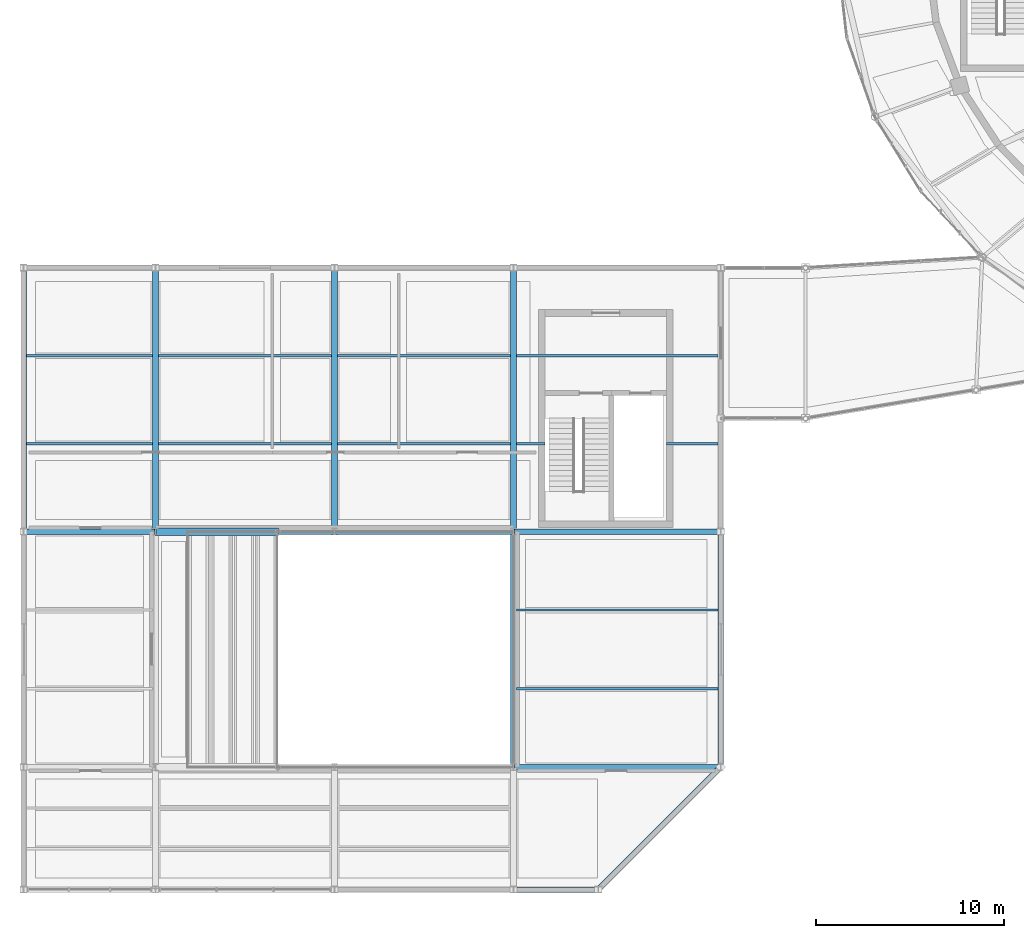
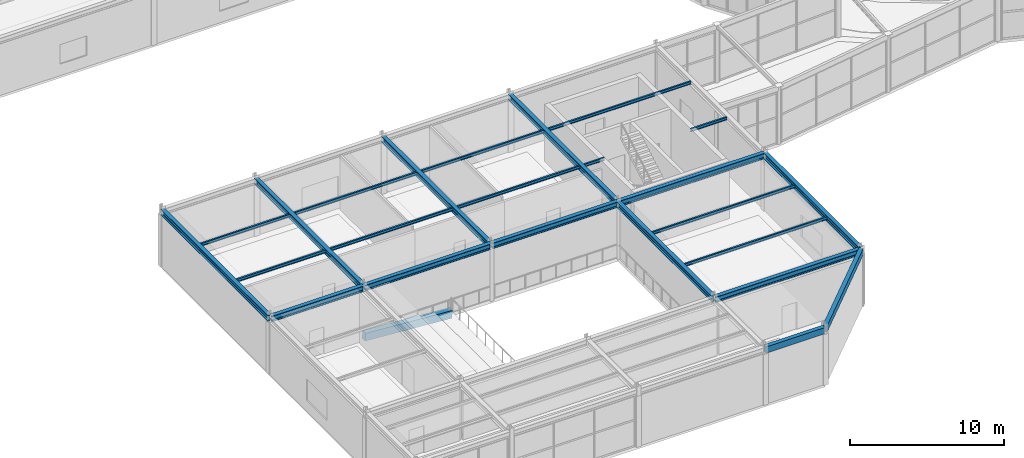
# One storey, part 17 of 100: 25 beams.
"""IFC4 building model written with IfcOpenShell, lengths in metres."""

from ifc_helpers import new_model, si_unit, direction, frame, origin, origin_2d, place, context, subcontext, project, spatial, rectangle, i_section, extrude, material, material_profile, profile_set, type_object, element, save


model = new_model("IFC4")

# Units and contexts
model_context = context("Model", 3, precision=1e-05, world=origin(), true_north=direction((0.0, 1.0)))
body_context = subcontext(model_context, "Body", "Model", "MODEL_VIEW")
ifc_project = project(units=[si_unit("LENGTHUNIT", "METRE"), si_unit("AREAUNIT", "SQUARE_METRE"), si_unit("VOLUMEUNIT", "CUBIC_METRE"), si_unit("PLANEANGLEUNIT", "RADIAN"), si_unit("MASSUNIT", "GRAM", prefix="KILO")], contexts=[model_context])

# Site, building, storey
site_placement = place(None, origin())
site = spatial("IfcSite", under=ifc_project, at=site_placement, CompositionType="ELEMENT")
building_placement = place(site_placement, origin())
building = spatial("IfcBuilding", under=site, at=building_placement, Name="Tarnveldt Headland Concert Hall", CompositionType="ELEMENT")
storey_placement = place(building_placement, frame((0.0, 0.0, 4.800048828125)))
storey = spatial("IfcBuildingStorey", under=building, at=storey_placement, Name="L01", CompositionType="ELEMENT", Elevation=4.800048828125)

# Beams
ifc_material_1 = material(Name="Concrete C40/50", Category="concrete")
ifc_material_profile_1 = material_profile(ifc_material_1, rectangle(XDim=0.39990234375, YDim=0.60009765625, at=origin_2d()), Name="RAKER RC 400x600", Category="concrete")
ifc_profile_set_1 = profile_set([ifc_material_profile_1], Name="Concrete C40/50")
beam_type_1 = type_object("IfcBeamType", Name="RK-400x600", PredefinedType="BEAM", material=ifc_profile_set_1)
beam_1_placement = place(storey_placement, frame((14.5, 24.0, 0.47998046875), z_axis=(0.997505647096, 0.0, -0.070586712708), x_axis=(0.0, 1.0, 0.0)))
element("IfcBeam", 1, at=beam_1_placement, inside=storey, type_object=beam_type_1, Name="Chamber balcony RAKER beam Y24.0", PredefinedType="BEAM", context=body_context, shape_type="SweptSolid", body=[
    extrude(rectangle(XDim=0.39990234375, YDim=0.60009765625, at=origin_2d()), origin(), (0.0, 0.0, 1.0), 6.516357421875),
])
ifc_material_2 = material(Name="Steel S355", Category="steel")
ifc_material_profile_2 = material_profile(ifc_material_2, i_section(OverallWidth=0.300048828125, OverallDepth=0.449951171875, WebThickness=0.013916015625, FlangeThickness=0.02587890625, FilletRadius=0.027099609375, at=origin_2d()), Name="HEB450", Category="steel")
ifc_profile_set_2 = profile_set([ifc_material_profile_2], Name="Steel S355")
beam_type_2 = type_object("IfcBeamType", Name="SB-HEB450", PredefinedType="BEAM", material=ifc_profile_set_2)
beam_2_placement = place(storey_placement, frame((33.550048828125, 11.5, 4.31494140625), z_axis=(1.0, 0.0, 0.0), x_axis=(0.0, 1.0, 0.0)))
element("IfcBeam", 2, at=beam_2_placement, inside=storey, type_object=beam_type_2, Name="Framing beam L01-871", PredefinedType="BEAM", context=body_context, shape_type="SweptSolid", body=[
    extrude(i_section(OverallWidth=0.300048828125, OverallDepth=0.449951171875, WebThickness=0.013916015625, FlangeThickness=0.02587890625, FilletRadius=0.027099609375, at=origin_2d()), origin(), (0.0, 0.0, 1.0), 10.89990234375),
])
beam_3_placement = place(storey_placement, frame((7.550048828125, 24.0, 4.31494140625), z_axis=(1.0, 0.0, 0.0), x_axis=(0.0, 1.0, 0.0)))
element("IfcBeam", 3, at=beam_3_placement, inside=storey, type_object=beam_type_2, Name="Framing beam L01-872", PredefinedType="BEAM", context=body_context, shape_type="SweptSolid", body=[
    extrude(i_section(OverallWidth=0.300048828125, OverallDepth=0.449951171875, WebThickness=0.013916015625, FlangeThickness=0.02587890625, FilletRadius=0.027099609375, at=origin_2d()), origin(), (0.0, 0.0, 1.0), 6.89990234375),
])
for number, where, z_axis, x_axis, name in (
    (4, (14.550048828125, 24.0, 4.31494140625), (1.0, 0.0, 0.0), (0.0, 1.0, 0.0), "Framing beam L01-873"),
    (5, (24.050048828125, 24.0, 4.31494140625), (1.0, 0.0, 0.0), (0.0, 1.0, 0.0), "Framing beam L01-874"),
):
    element("IfcBeam", number, at=place(storey_placement, frame(where, z_axis=z_axis, x_axis=x_axis)), inside=storey, type_object=beam_type_2, Name=name, PredefinedType="BEAM", context=body_context, shape_type="SweptSolid", body=[
        extrude(i_section(OverallWidth=0.300048828125, OverallDepth=0.449951171875, WebThickness=0.013916015625, FlangeThickness=0.02587890625, FilletRadius=0.027099609375, at=origin_2d()), origin(), (0.0, 0.0, 1.0), 9.39990234375),
    ])
beam_4_placement = place(storey_placement, frame((33.550048828125, 24.0, 4.31494140625), z_axis=(1.0, 0.0, 0.0), x_axis=(0.0, 1.0, 0.0)))
element("IfcBeam", 6, at=beam_4_placement, inside=storey, type_object=beam_type_2, Name="Framing beam L01-875", PredefinedType="BEAM", context=body_context, shape_type="SweptSolid", body=[
    extrude(i_section(OverallWidth=0.300048828125, OverallDepth=0.449951171875, WebThickness=0.013916015625, FlangeThickness=0.02587890625, FilletRadius=0.027099609375, at=origin_2d()), origin(), (0.0, 0.0, 1.0), 10.89990234375),
])
for number, where, z_axis, x_axis, name in (
    (7, (7.5, 24.050048828125, 4.31494140625), (0.0, 1.0, 0.0), (-1.0, 0.0, 0.0), "Framing beam L01-886"),
    (8, (14.5, 24.050048828125, 4.31494140625), (0.0, 1.0, 0.0), (-1.0, 0.0, 0.0), "Framing beam L01-893"),
    (9, (24.0, 24.050048828125, 4.31494140625), (0.0, 1.0, 0.0), (-1.0, 0.0, 0.0), "Framing beam L01-899"),
):
    element("IfcBeam", number, at=place(storey_placement, frame(where, z_axis=z_axis, x_axis=x_axis)), inside=storey, type_object=beam_type_2, Name=name, PredefinedType="BEAM", context=body_context, shape_type="SweptSolid", body=[
        extrude(i_section(OverallWidth=0.300048828125, OverallDepth=0.449951171875, WebThickness=0.013916015625, FlangeThickness=0.02587890625, FilletRadius=0.027099609375, at=origin_2d()), origin(), (0.0, 0.0, 1.0), 13.89990234375),
    ])
beam_5_placement = place(storey_placement, frame((33.5, 11.550048828125, 4.31494140625), z_axis=(0.0, 1.0, 0.0), x_axis=(-1.0, 0.0, 0.0)))
element("IfcBeam", 10, at=beam_5_placement, inside=storey, type_object=beam_type_2, Name="Framing beam L01-903", PredefinedType="BEAM", context=body_context, shape_type="SweptSolid", body=[
    extrude(i_section(OverallWidth=0.300048828125, OverallDepth=0.449951171875, WebThickness=0.013916015625, FlangeThickness=0.02587890625, FilletRadius=0.027099609375, at=origin_2d()), origin(), (0.0, 0.0, 1.0), 12.39990234375),
])
beam_6_placement = place(storey_placement, frame((33.5, 24.050048828125, 4.31494140625), z_axis=(0.0, 1.0, 0.0), x_axis=(-1.0, 0.0, 0.0)))
element("IfcBeam", 11, at=beam_6_placement, inside=storey, type_object=beam_type_2, Name="Framing beam L01-906", PredefinedType="BEAM", context=body_context, shape_type="SweptSolid", body=[
    extrude(i_section(OverallWidth=0.300048828125, OverallDepth=0.449951171875, WebThickness=0.013916015625, FlangeThickness=0.02587890625, FilletRadius=0.027099609375, at=origin_2d()), origin(), (0.0, 0.0, 1.0), 13.89990234375),
])
beam_7_placement = place(storey_placement, frame((44.5, 11.550048828125, 4.31494140625), z_axis=(0.0, 1.0, 0.0), x_axis=(-1.0, 0.0, 0.0)))
element("IfcBeam", 12, at=beam_7_placement, inside=storey, type_object=beam_type_2, Name="Framing beam L01-910", PredefinedType="BEAM", context=body_context, shape_type="SweptSolid", body=[
    extrude(i_section(OverallWidth=0.300048828125, OverallDepth=0.449951171875, WebThickness=0.013916015625, FlangeThickness=0.02587890625, FilletRadius=0.027099609375, at=origin_2d()), origin(), (0.0, 0.0, 1.0), 12.39990234375),
])
ifc_material_profile_3 = material_profile(ifc_material_2, i_section(OverallWidth=0.1201171875, OverallDepth=0.239990234375, WebThickness=0.006103515625, FlangeThickness=0.009765625, FilletRadius=0.014892578125, at=origin_2d()), Name="IPE240", Category="steel")
ifc_profile_set_3 = profile_set([ifc_material_profile_3], Name="Steel S355")
beam_type_3 = type_object("IfcBeamType", Name="SB-IPE240", PredefinedType="JOIST", material=ifc_profile_set_3)
for number, where, z_axis, x_axis, name in (
    (13, (7.64990234375, 28.6669921875, 4.419921875), (1.0, 0.0, 0.0), (0.0, 1.0, 0.0), "Framing beam L01-887"),
    (14, (7.64990234375, 33.3330078125, 4.419921875), (1.0, 0.0, 0.0), (0.0, 1.0, 0.0), "Framing beam L01-888"),
):
    element("IfcBeam", number, at=place(storey_placement, frame(where, z_axis=z_axis, x_axis=x_axis)), inside=storey, type_object=beam_type_3, Name=name, PredefinedType="JOIST", context=body_context, shape_type="SweptSolid", body=[
        extrude(i_section(OverallWidth=0.1201171875, OverallDepth=0.239990234375, WebThickness=0.006103515625, FlangeThickness=0.009765625, FilletRadius=0.014892578125, at=origin_2d()), origin(), (0.0, 0.0, 1.0), 6.7001953125),
    ])
for number, where, z_axis, x_axis, name in (
    (15, (14.64990234375, 28.6669921875, 4.419921875), (1.0, 0.0, 0.0), (0.0, 1.0, 0.0), "Framing beam L01-894"),
    (16, (14.64990234375, 33.3330078125, 4.419921875), (1.0, 0.0, 0.0), (0.0, 1.0, 0.0), "Framing beam L01-895"),
    (17, (24.14990234375, 28.6669921875, 4.419921875), (1.0, 0.0, 0.0), (0.0, 1.0, 0.0), "Framing beam L01-900"),
    (18, (24.14990234375, 33.3330078125, 4.419921875), (1.0, 0.0, 0.0), (0.0, 1.0, 0.0), "Framing beam L01-901"),
):
    element("IfcBeam", number, at=place(storey_placement, frame(where, z_axis=z_axis, x_axis=x_axis)), inside=storey, type_object=beam_type_3, Name=name, PredefinedType="JOIST", context=body_context, shape_type="SweptSolid", body=[
        extrude(i_section(OverallWidth=0.1201171875, OverallDepth=0.239990234375, WebThickness=0.006103515625, FlangeThickness=0.009765625, FilletRadius=0.014892578125, at=origin_2d()), origin(), (0.0, 0.0, 1.0), 9.2001953125),
    ])
for number, where, z_axis, x_axis, name in (
    (19, (33.64990234375, 15.6669921875, 4.419921875), (1.0, 0.0, 0.0), (0.0, 1.0, 0.0), "Framing beam L01-904"),
    (20, (33.64990234375, 19.8330078125, 4.419921875), (1.0, 0.0, 0.0), (0.0, 1.0, 0.0), "Framing beam L01-905"),
):
    element("IfcBeam", number, at=place(storey_placement, frame(where, z_axis=z_axis, x_axis=x_axis)), inside=storey, type_object=beam_type_3, Name=name, PredefinedType="JOIST", context=body_context, shape_type="SweptSolid", body=[
        extrude(i_section(OverallWidth=0.1201171875, OverallDepth=0.239990234375, WebThickness=0.006103515625, FlangeThickness=0.009765625, FilletRadius=0.014892578125, at=origin_2d()), origin(), (0.0, 0.0, 1.0), 10.7001953125),
    ])
beam_8_placement = place(storey_placement, frame((33.64990234375, 28.6669921875, 4.419921875), z_axis=(1.0, 0.0, 0.0), x_axis=(0.0, 1.0, 0.0)))
element("IfcBeam", 21, at=beam_8_placement, inside=storey, type_object=beam_type_3, Name="Framing beam L01-907", PredefinedType="JOIST", context=body_context, shape_type="SweptSolid", body=[
    extrude(i_section(OverallWidth=0.1201171875, OverallDepth=0.239990234375, WebThickness=0.006103515625, FlangeThickness=0.009765625, FilletRadius=0.014892578125, at=origin_2d()), origin(), (0.0, 0.0, 1.0), 1.530029296875),
])
beam_9_placement = place(storey_placement, frame((41.6201171875, 28.6669921875, 4.419921875), z_axis=(1.0, 0.0, 0.0), x_axis=(0.0, 1.0, 0.0)))
element("IfcBeam", 22, at=beam_9_placement, inside=storey, type_object=beam_type_3, Name="Framing beam L01-908", PredefinedType="JOIST", context=body_context, shape_type="SweptSolid", body=[
    extrude(i_section(OverallWidth=0.1201171875, OverallDepth=0.239990234375, WebThickness=0.006103515625, FlangeThickness=0.009765625, FilletRadius=0.014892578125, at=origin_2d()), origin(), (0.0, 0.0, 1.0), 2.72998046875),
])
beam_10_placement = place(storey_placement, frame((33.64990234375, 33.3330078125, 4.419921875), z_axis=(1.0, 0.0, 0.0), x_axis=(0.0, 1.0, 0.0)))
element("IfcBeam", 23, at=beam_10_placement, inside=storey, type_object=beam_type_3, Name="Framing beam L01-909", PredefinedType="JOIST", context=body_context, shape_type="SweptSolid", body=[
    extrude(i_section(OverallWidth=0.1201171875, OverallDepth=0.239990234375, WebThickness=0.006103515625, FlangeThickness=0.009765625, FilletRadius=0.014892578125, at=origin_2d()), origin(), (0.0, 0.0, 1.0), 10.7001953125),
])
ifc_material_profile_4 = material_profile(ifc_material_1, rectangle(XDim=0.300048828125, YDim=0.5, at=origin_2d()), Name="RC SPANDREL 300x500", Category="concrete")
ifc_profile_set_4 = profile_set([ifc_material_profile_4], Name="Concrete C40/50")
beam_type_4 = type_object("IfcBeamType", Name="SP-300x500", PredefinedType="SPANDREL", material=ifc_profile_set_4)
beam_11_placement = place(storey_placement, frame((33.5400390625, 5.0, 4.2900390625), z_axis=(1.0, 0.0, 0.0), x_axis=(0.0, 1.0, 0.0)))
element("IfcBeam", 24, at=beam_11_placement, inside=storey, type_object=beam_type_4, Name="Framing beam L01-866", PredefinedType="SPANDREL", context=body_context, shape_type="SweptSolid", body=[
    extrude(rectangle(XDim=0.300048828125, YDim=0.5, at=origin_2d()), origin(), (0.0, 0.0, 1.0), 4.419921875),
])
beam_12_placement = place(storey_placement, frame((38.0283203125, 5.0283203125, 4.2900390625), z_axis=(0.707106781187, 0.707106781187, 0.0), x_axis=(-0.707106781187, 0.707106781187, 0.0)))
element("IfcBeam", 25, at=beam_12_placement, inside=storey, type_object=beam_type_4, Name="Framing beam L01-867", PredefinedType="SPANDREL", context=body_context, shape_type="SweptSolid", body=[
    extrude(rectangle(XDim=0.300048828125, YDim=0.5, at=origin_2d()), origin(), (0.0, 0.0, 1.0), 9.1123046875),
])

save(model, "model.ifc")
